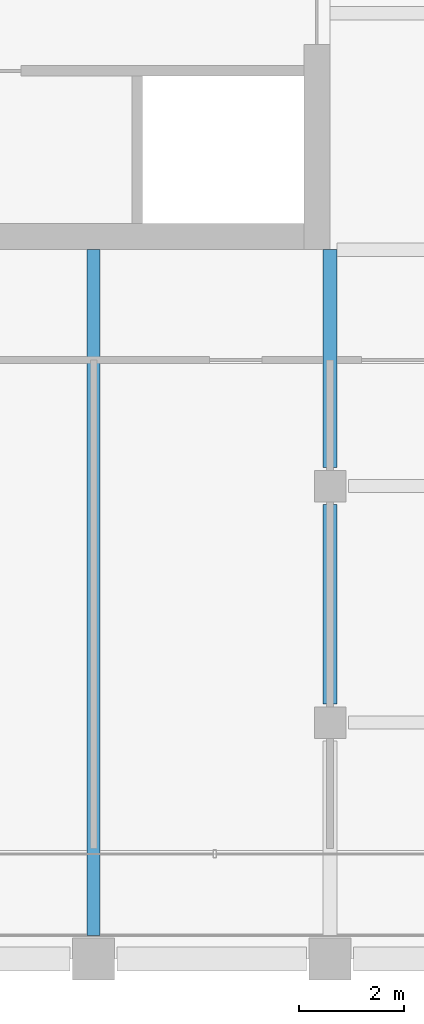
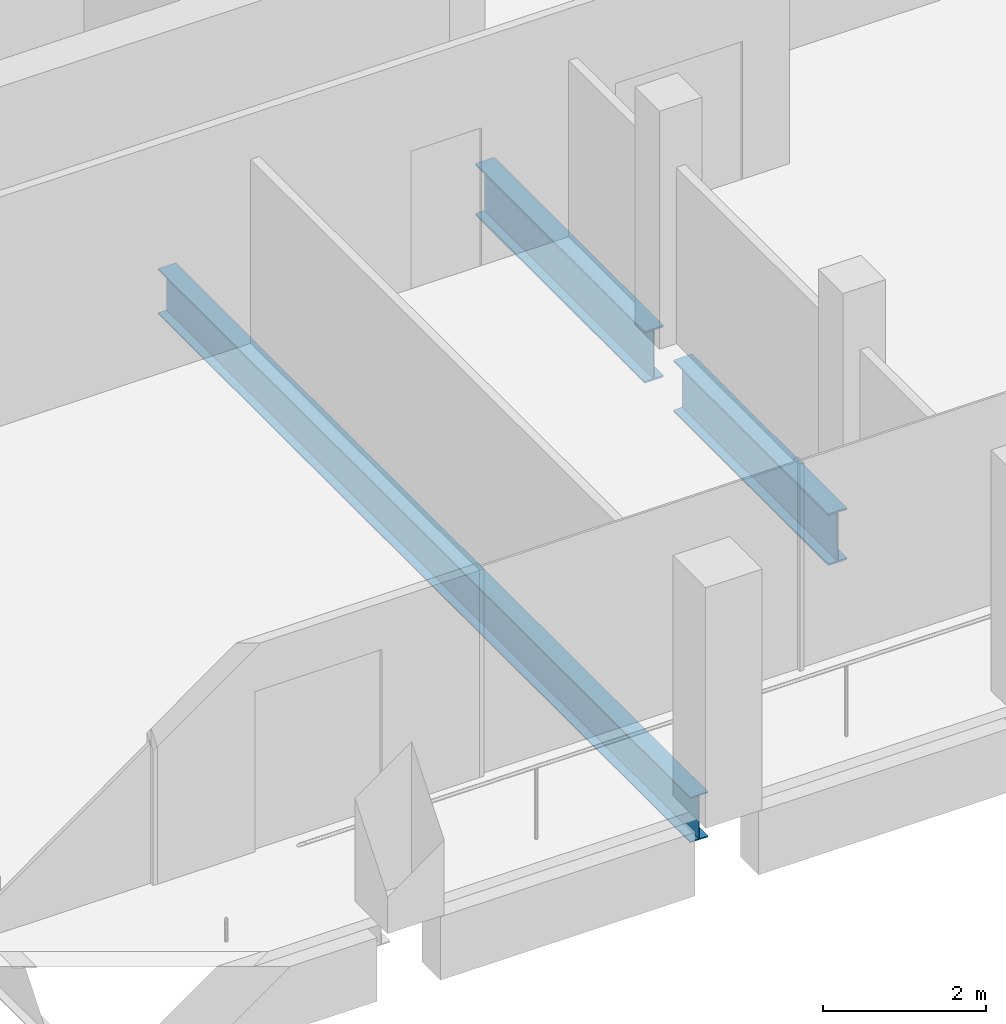
# One storey, part 10 of 40: 3 beams.
"""IFC4 building model written with IfcOpenShell, lengths in metres."""

from ifc_helpers import new_model, si_unit, direction, frame, origin, origin_2d, place, context, subcontext, project, spatial, i_section, extrude, material, material_profile, profile_set, type_object, element, save


model = new_model("IFC4")

# Units and contexts
model_context = context("Model", 3, precision=1e-05, world=origin(), true_north=direction((0.0, 1.0)))
body_context = subcontext(model_context, "Body", "Model", "MODEL_VIEW")
ifc_project = project(units=[si_unit("LENGTHUNIT", "METRE"), si_unit("AREAUNIT", "SQUARE_METRE"), si_unit("VOLUMEUNIT", "CUBIC_METRE"), si_unit("PLANEANGLEUNIT", "RADIAN"), si_unit("MASSUNIT", "GRAM", prefix="KILO")], contexts=[model_context])

# Site, building, storey
site_placement = place(None, origin())
site = spatial("IfcSite", under=ifc_project, at=site_placement, CompositionType="ELEMENT")
building_placement = place(site_placement, origin())
building = spatial("IfcBuilding", under=site, at=building_placement, Name="Altepetl Exchange Towers", CompositionType="ELEMENT")
storey_placement = place(building_placement, frame((0.0, 0.0, 195.60009765625)))
storey = spatial("IfcBuildingStorey", under=building, at=storey_placement, Name="L49", CompositionType="ELEMENT", Elevation=195.60009765625)

# Beams
ifc_material = material(Name="Steel S355", Category="steel")
ifc_material_profile_1 = material_profile(ifc_material, i_section(OverallWidth=0.2529296875, OverallDepth=0.677978515625, WebThickness=0.01171875, FlangeThickness=0.016357421875, at=origin_2d()), Name="W27X84")
ifc_profile_set_1 = profile_set([ifc_material_profile_1], Name="Steel S355")
beam_type_1 = type_object("IfcBeamType", Name="Floor beam W27X84", PredefinedType="BEAM", material=ifc_profile_set_1)
beam_1_placement = place(storey_placement, frame((54.0, 27.449951171875, -0.489013671875), z_axis=(0.0, 1.0, 0.0), x_axis=(-1.0, 0.0, 0.0)))
element("IfcBeam", 1, at=beam_1_placement, inside=storey, type_object=beam_type_1, Name="bm:A:L49:017", PredefinedType="BEAM", context=body_context, shape_type="SweptSolid", body=[
    extrude(i_section(OverallWidth=0.2529296875, OverallDepth=0.677978515625, WebThickness=0.01171875, FlangeThickness=0.016357421875, at=origin_2d()), origin(), (0.0, 0.0, 1.0), 13.050048828125),
])
ifc_material_profile_2 = material_profile(ifc_material, i_section(OverallWidth=0.26806640625, OverallDepth=0.77392578125, WebThickness=0.015380859375, FlangeThickness=0.025390625, at=origin_2d()), Name="W30X132")
ifc_profile_set_2 = profile_set([ifc_material_profile_2], Name="Steel S355")
beam_type_2 = type_object("IfcBeamType", Name="Girder W30X132", PredefinedType="BEAM", material=ifc_profile_set_2)
beam_2_placement = place(storey_placement, frame((58.5, 40.5, -0.537109375), z_axis=(0.0, -1.0, 0.0), x_axis=(1.0, 0.0, 0.0)))
element("IfcBeam", 2, at=beam_2_placement, inside=storey, type_object=beam_type_2, Name="gd:A:L49:003", PredefinedType="BEAM", context=body_context, shape_type="SweptSolid", body=[
    extrude(i_section(OverallWidth=0.26806640625, OverallDepth=0.77392578125, WebThickness=0.015380859375, FlangeThickness=0.025390625, at=origin_2d()), origin(), (0.0, 0.0, 1.0), 4.14990234375),
])
beam_3_placement = place(storey_placement, frame((58.5, 35.64990234375, -0.537109375), z_axis=(0.0, -1.0, 0.0), x_axis=(1.0, 0.0, 0.0)))
element("IfcBeam", 3, at=beam_3_placement, inside=storey, type_object=beam_type_2, Name="gd:A:L49:004", PredefinedType="BEAM", context=body_context, shape_type="SweptSolid", body=[
    extrude(i_section(OverallWidth=0.26806640625, OverallDepth=0.77392578125, WebThickness=0.015380859375, FlangeThickness=0.025390625, at=origin_2d()), origin(), (0.0, 0.0, 1.0), 3.7998046875),
])

save(model, "model.ifc")
